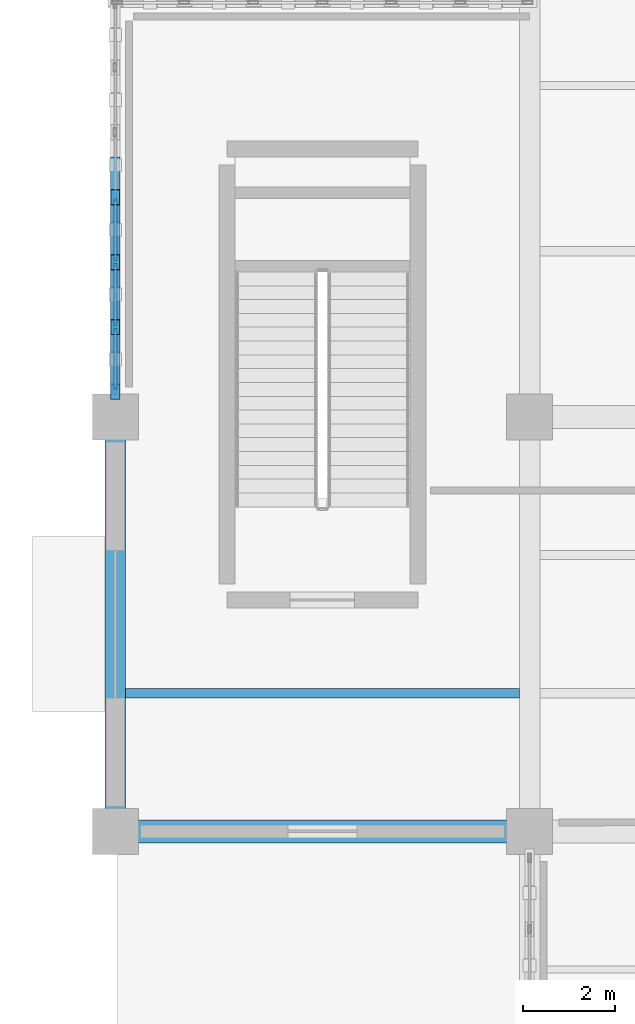
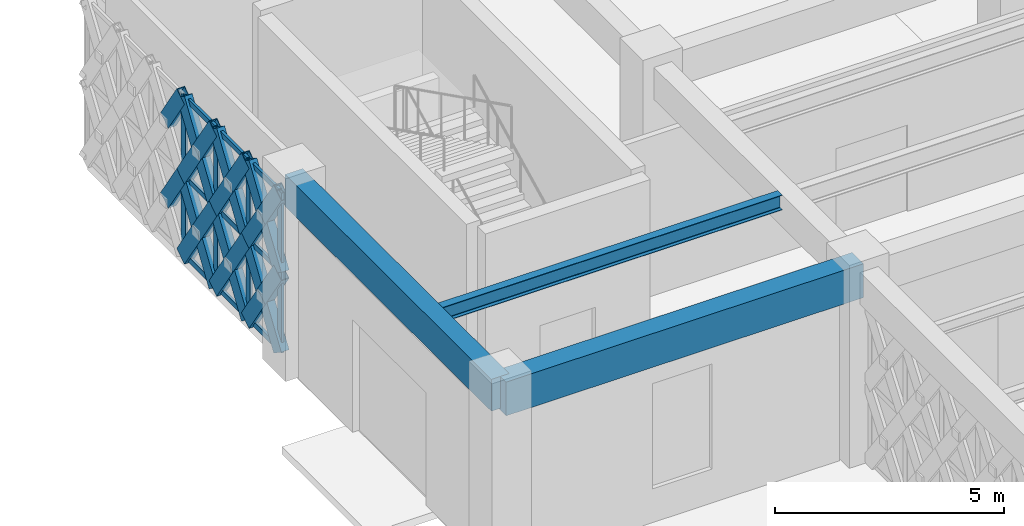
# One storey, part 50 of 140: 33 members, 3 beams, 1 element without a shape of its own.
"""IFC4 building model written with IfcOpenShell, lengths in metres."""

import ifcopenshell
import ifcopenshell.guid

model = None  # the IFC model being written
_history = None  # IfcOwnerHistory: only IFC2X3 demands one
_inside = {}  # id of a spatial element -> (the spatial element, [elements in it])
_under = {}  # id of a project, library or spatial element -> (it, [spatial elements below it])
_declared = {}  # id of a project -> (the project, [libraries it declares])
_typed = {}  # id of a type object -> (the type object, [elements of that type])
_made_of = {}  # id of a material, layer set ... -> (it, [elements and type objects made of it])


def new_model(schema):
    """Start an empty IFC model of exactly this schema.

    Asked for "IFC4X3", IfcOpenShell would pick the latest addendum, in which some entities
    have other attributes; the version numbers below select the first issue.
    IFC2X3 requires an IfcOwnerHistory on every rooted entity: one is made here for all.
    """
    global model, _history
    if schema == "IFC4X3":
        model = ifcopenshell.file(schema_version=(4, 3, 0, 0))
    else:
        model = ifcopenshell.file(schema=schema)
    _inside.clear()
    _under.clear()
    _declared.clear()
    _typed.clear()
    _made_of.clear()
    _history = None
    if model.schema == "IFC2X3":
        org = make("IfcOrganization", Name="unknown")
        user = make(
            "IfcPersonAndOrganization",
            ThePerson=make("IfcPerson", FamilyName="unknown"),
            TheOrganization=org,
        )
        app = make(
            "IfcApplication",
            ApplicationDeveloper=org,
            Version="unknown",
            ApplicationFullName="unknown",
            ApplicationIdentifier="unknown",
        )
        _history = make(
            "IfcOwnerHistory",
            OwningUser=user,
            OwningApplication=app,
            ChangeAction="ADDED",
            CreationDate=0,
        )
    return model


def make(cls, **values):
    """One entity of the class cls with the attributes given. An attribute that is None is left unset."""
    return model.create_entity(
        cls, **{name: value for name, value in values.items() if value is not None}
    )


def rooted(cls, **values):
    """An entity with a GlobalId (a new one), such as an element, a storey or a relation."""
    return make(cls, GlobalId=ifcopenshell.guid.new(), OwnerHistory=_history, **values)


def si_unit(unit_type, name, prefix=None):
    """IfcSIUnit, for example si_unit("LENGTHUNIT", "METRE", prefix="MILLI")."""
    return make("IfcSIUnit", UnitType=unit_type, Prefix=prefix, Name=name)


def assignment(units):
    """IfcUnitAssignment: the units of a project."""
    return None if units is None else make("IfcUnitAssignment", Units=units)


def point(xyz):
    """IfcCartesianPoint."""
    return None if xyz is None else make("IfcCartesianPoint", Coordinates=xyz)


def direction(xyz):
    """IfcDirection."""
    return None if xyz is None else make("IfcDirection", DirectionRatios=xyz)


def frame(location, z_axis=None, x_axis=None):
    """IfcAxis2Placement3D, a coordinate frame: its origin and axes. An axis left out is left unset."""
    return make(
        "IfcAxis2Placement3D",
        Location=point(location),
        Axis=direction(z_axis),
        RefDirection=direction(x_axis),
    )


def frame_2d(location, x_axis=None):
    """IfcAxis2Placement2D, a coordinate frame in the plane: its origin and x axis."""
    return make(
        "IfcAxis2Placement2D", Location=point(location), RefDirection=direction(x_axis)
    )


def origin():
    """The frame at (0, 0, 0) with its axes left unset."""
    return frame((0.0, 0.0, 0.0))


def origin_2d():
    """The frame at (0, 0) in the plane with its x axis left unset."""
    return frame_2d((0.0, 0.0))


def place(relative_to, where):
    """IfcLocalPlacement: puts the frame where relative to a parent placement (None: the world)."""
    return make(
        "IfcLocalPlacement", PlacementRelTo=relative_to, RelativePlacement=where
    )


def context(
    kind, dimensions, precision=None, world=None, true_north=None, identifier=None
):
    """IfcGeometricRepresentationContext, for example the 3D "Model" context."""
    return make(
        "IfcGeometricRepresentationContext",
        ContextIdentifier=identifier,
        ContextType=kind,
        CoordinateSpaceDimension=dimensions,
        Precision=precision,
        WorldCoordinateSystem=world,
        TrueNorth=true_north,
    )


def subcontext(parent, identifier, kind, view, scale=None):
    """IfcGeometricRepresentationSubContext, for example "Body" below "Model"."""
    return make(
        "IfcGeometricRepresentationSubContext",
        ContextIdentifier=identifier,
        ContextType=kind,
        ParentContext=parent,
        TargetScale=scale,
        TargetView=view,
    )


def project(units=None, contexts=None):
    """IfcProject with its units and contexts."""
    return rooted(
        "IfcProject",
        Name="project",
        RepresentationContexts=contexts,
        UnitsInContext=assignment(units),
    )


def spatial(cls, under=None, at=None, **own):
    """A site, building, storey or space (cls), placed at a placement, below another one or the project."""
    s = rooted(cls, ObjectPlacement=at, **own)
    if under is not None:
        _under.setdefault(under.id(), (under, []))[1].append(s)
    return s


def profile(cls, at=None, kind="AREA", **sizes):
    """A parametric profile (cls). Its sizes go by their IFC names, for example OverallWidth=200.0."""
    return make(cls, ProfileType=kind, Position=at, **sizes)


def rectangle(**sizes):
    """IfcRectangleProfileDef."""
    return profile("IfcRectangleProfileDef", **sizes)


def hollow_rectangle(**sizes):
    """IfcRectangleHollowProfileDef."""
    return profile("IfcRectangleHollowProfileDef", **sizes)


def i_section(**sizes):
    """IfcIShapeProfileDef."""
    return profile("IfcIShapeProfileDef", **sizes)


def extrude(swept, where, along, depth):
    """IfcExtrudedAreaSolid: the profile swept, set in the frame where, extruded along a direction by depth."""
    return make(
        "IfcExtrudedAreaSolid",
        SweptArea=swept,
        Position=where,
        ExtrudedDirection=direction(along),
        Depth=depth,
    )


def shape(context_of_items, identifier, shape_type, items):
    """IfcShapeRepresentation: the items that make up one representation, for example the "Body"."""
    return make(
        "IfcShapeRepresentation",
        ContextOfItems=context_of_items,
        RepresentationIdentifier=identifier,
        RepresentationType=shape_type,
        Items=items,
    )


def material(Name=None, Category=None):
    """IfcMaterial."""
    return make("IfcMaterial", Name=Name, Category=Category)


def material_profile(
    of_material, cross_section, Name=None, Category=None, Priority=None
):
    """IfcMaterialProfile: a cross section and its material."""
    return make(
        "IfcMaterialProfile",
        Name=Name,
        Material=of_material,
        Profile=cross_section,
        Priority=Priority,
        Category=Category,
    )


def profile_set(profiles, Name=None, composite=None):
    """IfcMaterialProfileSet."""
    return make(
        "IfcMaterialProfileSet",
        Name=Name,
        MaterialProfiles=profiles,
        CompositeProfile=composite,
    )


def made_of(thing, what):
    """Note that an element or type object is made of a material, layer set ...; save() writes the relation."""
    if what is not None:
        _made_of.setdefault(what.id(), (what, []))[1].append(thing)
    return thing


def type_object(cls, material=None, **own):
    """A type object (cls), such as IfcWallType, which elements share."""
    return made_of(rooted(cls, **own), material)


def element(
    cls,
    number,
    at=None,
    inside=None,
    cuts=None,
    type_object=None,
    material=None,
    context=None,
    identifier="Body",
    shape_type=None,
    held_by="IfcProductDefinitionShape",
    body=None,
    shapes=None,
    **own,
):
    """One element of the class cls, such as IfcWall. Its Tag is "e" and its number.

    at: its placement. inside: the storey or other place that contains it. cuts: it is an
    opening in that element (IfcRelVoidsElement). A single representation is given by context,
    identifier, shape_type and body (its items); several are given by shapes. held_by: the class
    of the entity that holds the representations. save() writes the other relations.
    """
    e = rooted(cls, Tag="e%d" % number, ObjectPlacement=at, **own)
    if body is not None:
        shapes = [shape(context, identifier, shape_type, body)]
    if shapes is not None:
        e.Representation = make(held_by, Representations=shapes)
    if inside is not None:
        _inside.setdefault(inside.id(), (inside, []))[1].append(e)
    if cuts is not None:
        rooted(
            "IfcRelVoidsElement", RelatingBuildingElement=cuts, RelatedOpeningElement=e
        )
    if type_object is not None:
        _typed.setdefault(type_object.id(), (type_object, []))[1].append(e)
    return made_of(e, material)


def aggregate(whole, parts):
    """IfcRelAggregates: a whole, such as a stair, and the parts it consists of."""
    return rooted("IfcRelAggregates", RelatingObject=whole, RelatedObjects=parts)


def save(model, path):
    """Write the relations noted so far, then the file.

    IfcRelAggregates (storeys below a building ...), IfcRelContainedInSpatialStructure (elements
    in a storey), IfcRelDefinesByType, IfcRelAssociatesMaterial and IfcRelDeclares: one each for
    every whole, place, type object, material and project.
    """
    for whole, parts in _under.values():
        aggregate(whole, parts)
    for where, things in _inside.values():
        rooted(
            "IfcRelContainedInSpatialStructure",
            RelatedElements=things,
            RelatingStructure=where,
        )
    for kind, things in _typed.values():
        rooted("IfcRelDefinesByType", RelatedObjects=things, RelatingType=kind)
    for what, things in _made_of.values():
        rooted("IfcRelAssociatesMaterial", RelatedObjects=things, RelatingMaterial=what)
    for by, libraries in _declared.values():
        rooted("IfcRelDeclares", RelatingContext=by, RelatedDefinitions=libraries)
    model.write(path)


model = new_model("IFC4")

# Units and contexts
model_context = context("Model", 3, precision=1e-05, world=origin(), true_north=direction((0.0, 1.0)))
body_context = subcontext(model_context, "Body", "Model", "MODEL_VIEW")
ifc_project = project(units=[si_unit("LENGTHUNIT", "METRE"), si_unit("AREAUNIT", "SQUARE_METRE"), si_unit("VOLUMEUNIT", "CUBIC_METRE"), si_unit("PLANEANGLEUNIT", "RADIAN"), si_unit("MASSUNIT", "GRAM", prefix="KILO")], contexts=[model_context])

# Site, building, storey
site_placement = place(None, origin())
site = spatial("IfcSite", under=ifc_project, at=site_placement, CompositionType="ELEMENT")
building_placement = place(site_placement, origin())
building = spatial("IfcBuilding", under=site, at=building_placement, Name="Haizhuo Lancet Aquarium", CompositionType="ELEMENT")
storey_placement = place(building_placement, origin())
storey = spatial("IfcBuildingStorey", under=building, at=storey_placement, Name="L00", CompositionType="ELEMENT", Elevation=0.0)

# Beams
ifc_material_1 = material(Name="Concrete C40/50", Category="concrete")
ifc_material_profile_1 = material_profile(ifc_material_1, rectangle(XDim=0.449951171875, YDim=0.85009765625, at=origin_2d()), Name="RC-BM 450x850")
ifc_profile_set_1 = profile_set([ifc_material_profile_1], Name="Concrete C40/50")
beam_type_1 = type_object("IfcBeamType", Name="BM-RC-450x850", PredefinedType="BEAM", material=ifc_profile_set_1)
beam_1_placement = place(storey_placement, frame((-27.0, 36.0, 4.695068359375), z_axis=(0.0, 1.0, 0.0), x_axis=(-1.0, 0.0, 0.0)))
element("IfcBeam", 1, at=beam_1_placement, inside=storey, type_object=beam_type_1, Name="L00 V5 primary girder BM-L00-V5-001", PredefinedType="BEAM", context=body_context, shape_type="SweptSolid", body=[
    extrude(rectangle(XDim=0.449951171875, YDim=0.85009765625, at=origin_2d()), origin(), (0.0, 0.0, 1.0), 9.0),
])
ifc_material_profile_2 = material_profile(ifc_material_1, rectangle(XDim=0.5, YDim=0.89990234375, at=origin_2d()), Name="RC-BM 500x900")
ifc_profile_set_2 = profile_set([ifc_material_profile_2], Name="Concrete C40/50")
beam_type_2 = type_object("IfcBeamType", Name="BM-RC-500x900", PredefinedType="BEAM", material=ifc_profile_set_2)
beam_2_placement = place(storey_placement, frame((-27.0, 36.0, 4.669921875), z_axis=(1.0, 0.0, 0.0), x_axis=(0.0, 1.0, 0.0)))
element("IfcBeam", 2, at=beam_2_placement, inside=storey, type_object=beam_type_2, Name="L00 V5 primary girder BM-L00-V5-002", PredefinedType="BEAM", context=body_context, shape_type="SweptSolid", body=[
    extrude(rectangle(XDim=0.5, YDim=0.89990234375, at=origin_2d()), origin(), (0.0, 0.0, 1.0), 9.0),
])

# Curtain wall, members
ifc_material_2 = material(Name="Aluminium 6063-T6", Category="aluminium")
curtain_wall_type = type_object("IfcCurtainWallType", Name="CWD-8460x4260", PredefinedType="NOTDEFINED", material=ifc_material_2)
curtain_wall_placement = place(storey_placement, origin())
curtain_wall = element("IfcCurtainWall", 3, at=curtain_wall_placement, inside=storey, type_object=curtain_wall_type, Name="L00 curtain wall CW-V5-L00-115", PredefinedType="NOTDEFINED")
ifc_material_profile_3 = material_profile(ifc_material_2, hollow_rectangle(XDim=0.06494140625, YDim=0.179931640625, WallThickness=0.00390625, at=origin_2d()), Name="ALU-M 65x180x4")
ifc_profile_set_3 = profile_set([ifc_material_profile_3], Name="Aluminium 6063-T6")
member_type_1 = type_object("IfcMemberType", Name="CW-MUL-1", PredefinedType="MULLION", material=ifc_profile_set_3)
member_1_placement = place(storey_placement, frame((-27.0, 45.577880859375, 0.0), z_axis=(0.0, 0.0, 1.0), x_axis=(-1.0, 0.0, 0.0)))
member_1 = element("IfcMember", 4, at=member_1_placement, type_object=member_type_1, Name="CWD-84x42 mullion 1", PredefinedType="MULLION", context=body_context, shape_type="SweptSolid", body=[
    extrude(hollow_rectangle(XDim=0.06494140625, YDim=0.179931640625, WallThickness=0.00390625, at=origin_2d()), origin(), (0.0, 0.0, 1.0), 4.2548828125),
])
member_2_placement = place(storey_placement, frame((-27.0, 46.9541015625, 0.0), z_axis=(0.0, 0.0, 1.0), x_axis=(-1.0, 0.0, 0.0)))
member_2 = element("IfcMember", 5, at=member_2_placement, type_object=member_type_1, Name="CWD-84x42 mullion 2", PredefinedType="MULLION", context=body_context, shape_type="SweptSolid", body=[
    extrude(hollow_rectangle(XDim=0.06494140625, YDim=0.179931640625, WallThickness=0.00390625, at=origin_2d()), origin(), (0.0, 0.0, 1.0), 4.2548828125),
])
member_3_placement = place(storey_placement, frame((-27.0, 48.363037109375, 0.0), z_axis=(0.0, 0.0, 1.0), x_axis=(-1.0, 0.0, 0.0)))
member_3 = element("IfcMember", 6, at=member_3_placement, type_object=member_type_1, Name="CWD-84x42 mullion 3", PredefinedType="MULLION", context=body_context, shape_type="SweptSolid", body=[
    extrude(hollow_rectangle(XDim=0.06494140625, YDim=0.179931640625, WallThickness=0.00390625, at=origin_2d()), origin(), (0.0, 0.0, 1.0), 4.2548828125),
])
member_4_placement = place(storey_placement, frame((-27.0, 49.77294921875, 0.0), z_axis=(0.0, 0.0, 1.0), x_axis=(-1.0, 0.0, 0.0)))
member_4 = element("IfcMember", 7, at=member_4_placement, type_object=member_type_1, Name="CWD-84x42 mullion 4", PredefinedType="MULLION", context=body_context, shape_type="SweptSolid", body=[
    extrude(hollow_rectangle(XDim=0.06494140625, YDim=0.179931640625, WallThickness=0.00390625, at=origin_2d()), origin(), (0.0, 0.0, 1.0), 4.2548828125),
])
ifc_material_profile_4 = material_profile(ifc_material_2, hollow_rectangle(XDim=0.06494140625, YDim=0.139892578125, WallThickness=0.00390625, at=origin_2d()), Name="ALU-T 65x140x4")
ifc_profile_set_4 = profile_set([ifc_material_profile_4], Name="Aluminium 6063-T6")
member_type_2 = type_object("IfcMemberType", Name="CW-TRN-1", PredefinedType="NOTDEFINED", material=ifc_profile_set_4)
member_5_placement = place(storey_placement, frame((-27.0, 45.610107421875, 0.032958984375), z_axis=(0.0, 1.0, 0.0), x_axis=(-1.0, 0.0, 0.0)))
member_5 = element("IfcMember", 8, at=member_5_placement, type_object=member_type_2, Name="CWD-84x42 transom 1.1", ObjectType="TRANSOM", PredefinedType="USERDEFINED", context=body_context, shape_type="SweptSolid", body=[
    extrude(hollow_rectangle(XDim=0.06494140625, YDim=0.139892578125, WallThickness=0.00390625, at=origin_2d()), origin(), (0.0, 0.0, 1.0), 1.31201171875),
])
member_6_placement = place(storey_placement, frame((-27.0, 45.610107421875, 2.126953125), z_axis=(0.0, 1.0, 0.0), x_axis=(-1.0, 0.0, 0.0)))
member_6 = element("IfcMember", 9, at=member_6_placement, type_object=member_type_2, Name="CWD-84x42 transom 1.2", ObjectType="TRANSOM", PredefinedType="USERDEFINED", context=body_context, shape_type="SweptSolid", body=[
    extrude(hollow_rectangle(XDim=0.06494140625, YDim=0.139892578125, WallThickness=0.00390625, at=origin_2d()), origin(), (0.0, 0.0, 1.0), 1.31201171875),
])
member_7_placement = place(storey_placement, frame((-27.0, 45.610107421875, 4.222900390625), z_axis=(0.0, 1.0, 0.0), x_axis=(-1.0, 0.0, 0.0)))
member_7 = element("IfcMember", 10, at=member_7_placement, type_object=member_type_2, Name="CWD-84x42 transom 1.3", ObjectType="TRANSOM", PredefinedType="USERDEFINED", context=body_context, shape_type="SweptSolid", body=[
    extrude(hollow_rectangle(XDim=0.06494140625, YDim=0.139892578125, WallThickness=0.00390625, at=origin_2d()), origin(), (0.0, 0.0, 1.0), 1.31201171875),
])
member_8_placement = place(storey_placement, frame((-27.0, 46.987060546875, 0.032958984375), z_axis=(0.0, 1.0, 0.0), x_axis=(-1.0, 0.0, 0.0)))
member_8 = element("IfcMember", 11, at=member_8_placement, type_object=member_type_2, Name="CWD-84x42 transom 2.1", ObjectType="TRANSOM", PredefinedType="USERDEFINED", context=body_context, shape_type="SweptSolid", body=[
    extrude(hollow_rectangle(XDim=0.06494140625, YDim=0.139892578125, WallThickness=0.00390625, at=origin_2d()), origin(), (0.0, 0.0, 1.0), 1.343994140625),
])
member_9_placement = place(storey_placement, frame((-27.0, 46.987060546875, 2.126953125), z_axis=(0.0, 1.0, 0.0), x_axis=(-1.0, 0.0, 0.0)))
member_9 = element("IfcMember", 12, at=member_9_placement, type_object=member_type_2, Name="CWD-84x42 transom 2.2", ObjectType="TRANSOM", PredefinedType="USERDEFINED", context=body_context, shape_type="SweptSolid", body=[
    extrude(hollow_rectangle(XDim=0.06494140625, YDim=0.139892578125, WallThickness=0.00390625, at=origin_2d()), origin(), (0.0, 0.0, 1.0), 1.343994140625),
])
member_10_placement = place(storey_placement, frame((-27.0, 46.987060546875, 4.222900390625), z_axis=(0.0, 1.0, 0.0), x_axis=(-1.0, 0.0, 0.0)))
member_10 = element("IfcMember", 13, at=member_10_placement, type_object=member_type_2, Name="CWD-84x42 transom 2.3", ObjectType="TRANSOM", PredefinedType="USERDEFINED", context=body_context, shape_type="SweptSolid", body=[
    extrude(hollow_rectangle(XDim=0.06494140625, YDim=0.139892578125, WallThickness=0.00390625, at=origin_2d()), origin(), (0.0, 0.0, 1.0), 1.343994140625),
])
member_11_placement = place(storey_placement, frame((-27.0, 48.39599609375, 0.032958984375), z_axis=(0.0, 1.0, 0.0), x_axis=(-1.0, 0.0, 0.0)))
member_11 = element("IfcMember", 14, at=member_11_placement, type_object=member_type_2, Name="CWD-84x42 transom 3.1", ObjectType="TRANSOM", PredefinedType="USERDEFINED", context=body_context, shape_type="SweptSolid", body=[
    extrude(hollow_rectangle(XDim=0.06494140625, YDim=0.139892578125, WallThickness=0.00390625, at=origin_2d()), origin(), (0.0, 0.0, 1.0), 1.343994140625),
])
member_12_placement = place(storey_placement, frame((-27.0, 48.39599609375, 2.126953125), z_axis=(0.0, 1.0, 0.0), x_axis=(-1.0, 0.0, 0.0)))
member_12 = element("IfcMember", 15, at=member_12_placement, type_object=member_type_2, Name="CWD-84x42 transom 3.2", ObjectType="TRANSOM", PredefinedType="USERDEFINED", context=body_context, shape_type="SweptSolid", body=[
    extrude(hollow_rectangle(XDim=0.06494140625, YDim=0.139892578125, WallThickness=0.00390625, at=origin_2d()), origin(), (0.0, 0.0, 1.0), 1.343994140625),
])
member_13_placement = place(storey_placement, frame((-27.0, 48.39599609375, 4.222900390625), z_axis=(0.0, 1.0, 0.0), x_axis=(-1.0, 0.0, 0.0)))
member_13 = element("IfcMember", 16, at=member_13_placement, type_object=member_type_2, Name="CWD-84x42 transom 3.3", ObjectType="TRANSOM", PredefinedType="USERDEFINED", context=body_context, shape_type="SweptSolid", body=[
    extrude(hollow_rectangle(XDim=0.06494140625, YDim=0.139892578125, WallThickness=0.00390625, at=origin_2d()), origin(), (0.0, 0.0, 1.0), 1.343994140625),
])
aggregate(curtain_wall, [member_1, member_2, member_3, member_4, member_5, member_6, member_7, member_8, member_9, member_10, member_11, member_12, member_13])

# Beam
ifc_material_3 = material(Name="Steel S355", Category="steel")
ifc_material_profile_5 = material_profile(ifc_material_3, i_section(OverallWidth=0.199951171875, OverallDepth=0.39990234375, WebThickness=0.008056640625, FlangeThickness=0.012939453125, FilletRadius=0.01611328125, at=origin_2d()), Name="HN 400x200x8x13")
ifc_profile_set_5 = profile_set([ifc_material_profile_5], Name="Steel S355")
beam_type_3 = type_object("IfcBeamType", Name="JST-ST-HN400", PredefinedType="JOIST", material=ifc_profile_set_5)
beam_3_placement = place(storey_placement, frame((-26.77490234375, 39.0, 4.919921875), z_axis=(1.0, 0.0, 0.0), x_axis=(0.0, 1.0, 0.0)))
element("IfcBeam", 17, at=beam_3_placement, inside=storey, type_object=beam_type_3, Name="L00 V5 secondary floor joist 1", PredefinedType="JOIST", context=body_context, shape_type="SweptSolid", body=[
    extrude(i_section(OverallWidth=0.199951171875, OverallDepth=0.39990234375, WebThickness=0.008056640625, FlangeThickness=0.012939453125, FilletRadius=0.01611328125, at=origin_2d()), origin(), (0.0, 0.0, 1.0), 8.5498046875),
])

# Members
ifc_material_profile_6 = material_profile(ifc_material_3, hollow_rectangle(XDim=0.199951171875, YDim=0.39990234375, WallThickness=0.011962890625, at=origin_2d()), Name="RHS 200x400x12")
ifc_profile_set_6 = profile_set([ifc_material_profile_6], Name="Steel S355")
member_type_3 = type_object("IfcMemberType", Name="MEM-LB-RHS200x400", PredefinedType="BRACE", material=ifc_profile_set_6)
member_14_placement = place(storey_placement, frame((-27.0, 45.544921875, 0.0), z_axis=(0.0, 0.552313069978, 0.83363677506), x_axis=(-1.0, 0.0, 0.0)))
element("IfcMember", 18, at=member_14_placement, inside=storey, type_object=member_type_3, Name="Gothic lancet continuous diagonal brace CW-V5-L00-115 1A", PredefinedType="BRACE", context=body_context, shape_type="SweptSolid", body=[
    extrude(hollow_rectangle(XDim=0.199951171875, YDim=0.39990234375, WallThickness=0.011962890625, at=origin_2d()), origin(), (0.0, 0.0, 1.0), 2.551513671875),
])
member_15_placement = place(storey_placement, frame((-27.0, 46.9541015625, 0.0), z_axis=(0.0, -0.552755264889, 0.833343636886), x_axis=(1.0, 0.0, 0.0)))
element("IfcMember", 19, at=member_15_placement, inside=storey, type_object=member_type_3, Name="Gothic lancet split diagonal brace CW-V5-L00-115 1B1", PredefinedType="BRACE", context=body_context, shape_type="SweptSolid", body=[
    extrude(hollow_rectangle(XDim=0.199951171875, YDim=0.39990234375, WallThickness=0.011962890625, at=origin_2d()), origin(), (0.0, 0.0, 1.0), 1.275634765625),
])
member_16_placement = place(storey_placement, frame((-27.0, 46.2490234375, 1.06298828125), z_axis=(0.0, -0.551870814878, 0.833929615547), x_axis=(1.0, 0.0, 0.0)))
element("IfcMember", 20, at=member_16_placement, inside=storey, type_object=member_type_3, Name="Gothic lancet split diagonal brace CW-V5-L00-115 1B2", PredefinedType="BRACE", context=body_context, shape_type="SweptSolid", body=[
    extrude(hollow_rectangle(XDim=0.199951171875, YDim=0.39990234375, WallThickness=0.011962890625, at=origin_2d()), origin(), (0.0, 0.0, 1.0), 1.27587890625),
])
member_17_placement = place(storey_placement, frame((-27.0, 45.544921875, 2.126953125), z_axis=(0.0, 0.55213688332, 0.833753478), x_axis=(-1.0, 0.0, 0.0)))
element("IfcMember", 21, at=member_17_placement, inside=storey, type_object=member_type_3, Name="Gothic lancet continuous diagonal brace CW-V5-L00-115 2A", PredefinedType="BRACE", context=body_context, shape_type="SweptSolid", body=[
    extrude(hollow_rectangle(XDim=0.199951171875, YDim=0.39990234375, WallThickness=0.011962890625, at=origin_2d()), origin(), (0.0, 0.0, 1.0), 2.55224609375),
])
member_18_placement = place(storey_placement, frame((-27.0, 46.9541015625, 2.126953125), z_axis=(0.0, -0.552402783183, 0.833577330025), x_axis=(1.0, 0.0, 0.0)))
element("IfcMember", 22, at=member_18_placement, inside=storey, type_object=member_type_3, Name="Gothic lancet split diagonal brace CW-V5-L00-115 2B1", PredefinedType="BRACE", context=body_context, shape_type="SweptSolid", body=[
    extrude(hollow_rectangle(XDim=0.199951171875, YDim=0.39990234375, WallThickness=0.011962890625, at=origin_2d()), origin(), (0.0, 0.0, 1.0), 1.2763671875),
])
member_19_placement = place(storey_placement, frame((-27.0, 46.2490234375, 3.19091796875), z_axis=(0.0, -0.551870814878, 0.833929615547), x_axis=(1.0, 0.0, 0.0)))
element("IfcMember", 23, at=member_19_placement, inside=storey, type_object=member_type_3, Name="Gothic lancet split diagonal brace CW-V5-L00-115 2B2", PredefinedType="BRACE", context=body_context, shape_type="SweptSolid", body=[
    extrude(hollow_rectangle(XDim=0.199951171875, YDim=0.39990234375, WallThickness=0.011962890625, at=origin_2d()), origin(), (0.0, 0.0, 1.0), 1.27587890625),
])
member_20_placement = place(storey_placement, frame((-27.0, 46.9541015625, 0.0), z_axis=(0.0, 0.552246566071, 0.833680832371), x_axis=(-1.0, 0.0, 0.0)))
element("IfcMember", 24, at=member_20_placement, inside=storey, type_object=member_type_3, Name="Gothic lancet continuous diagonal brace CW-V5-L00-115 3A", PredefinedType="BRACE", context=body_context, shape_type="SweptSolid", body=[
    extrude(hollow_rectangle(XDim=0.199951171875, YDim=0.39990234375, WallThickness=0.011962890625, at=origin_2d()), origin(), (0.0, 0.0, 1.0), 2.55126953125),
])
member_21_placement = place(storey_placement, frame((-27.0, 48.363037109375, 0.0), z_axis=(0.0, -0.552223255133, 0.833696273526), x_axis=(1.0, 0.0, 0.0)))
element("IfcMember", 25, at=member_21_placement, inside=storey, type_object=member_type_3, Name="Gothic lancet split diagonal brace CW-V5-L00-115 3B1", PredefinedType="BRACE", context=body_context, shape_type="SweptSolid", body=[
    extrude(hollow_rectangle(XDim=0.199951171875, YDim=0.39990234375, WallThickness=0.011962890625, at=origin_2d()), origin(), (0.0, 0.0, 1.0), 1.275146484375),
])
member_22_placement = place(storey_placement, frame((-27.0, 47.658935546875, 1.06298828125), z_axis=(0.0, -0.55226985432, 0.833665405309), x_axis=(1.0, 0.0, 0.0)))
element("IfcMember", 26, at=member_22_placement, inside=storey, type_object=member_type_3, Name="Gothic lancet split diagonal brace CW-V5-L00-115 3B2", PredefinedType="BRACE", context=body_context, shape_type="SweptSolid", body=[
    extrude(hollow_rectangle(XDim=0.199951171875, YDim=0.39990234375, WallThickness=0.011962890625, at=origin_2d()), origin(), (0.0, 0.0, 1.0), 1.2763671875),
])
member_23_placement = place(storey_placement, frame((-27.0, 46.9541015625, 2.126953125), z_axis=(0.0, 0.552070382016, 0.833797513369), x_axis=(-1.0, 0.0, 0.0)))
element("IfcMember", 27, at=member_23_placement, inside=storey, type_object=member_type_3, Name="Gothic lancet continuous diagonal brace CW-V5-L00-115 4A", PredefinedType="BRACE", context=body_context, shape_type="SweptSolid", body=[
    extrude(hollow_rectangle(XDim=0.199951171875, YDim=0.39990234375, WallThickness=0.011962890625, at=origin_2d()), origin(), (0.0, 0.0, 1.0), 2.552001953125),
])
member_24_placement = place(storey_placement, frame((-27.0, 48.363037109375, 2.126953125), z_axis=(0.0, -0.551870814878, 0.833929615547), x_axis=(1.0, 0.0, 0.0)))
element("IfcMember", 28, at=member_24_placement, inside=storey, type_object=member_type_3, Name="Gothic lancet split diagonal brace CW-V5-L00-115 4B1", PredefinedType="BRACE", context=body_context, shape_type="SweptSolid", body=[
    extrude(hollow_rectangle(XDim=0.199951171875, YDim=0.39990234375, WallThickness=0.011962890625, at=origin_2d()), origin(), (0.0, 0.0, 1.0), 1.27587890625),
])
member_25_placement = place(storey_placement, frame((-27.0, 47.658935546875, 3.19091796875), z_axis=(0.0, -0.55226985432, 0.833665405309), x_axis=(1.0, 0.0, 0.0)))
element("IfcMember", 29, at=member_25_placement, inside=storey, type_object=member_type_3, Name="Gothic lancet split diagonal brace CW-V5-L00-115 4B2", PredefinedType="BRACE", context=body_context, shape_type="SweptSolid", body=[
    extrude(hollow_rectangle(XDim=0.199951171875, YDim=0.39990234375, WallThickness=0.011962890625, at=origin_2d()), origin(), (0.0, 0.0, 1.0), 1.2763671875),
])
member_26_placement = place(storey_placement, frame((-27.0, 48.363037109375, 0.0), z_axis=(0.0, 0.55251251844, 0.833504599247), x_axis=(-1.0, 0.0, 0.0)))
element("IfcMember", 30, at=member_26_placement, inside=storey, type_object=member_type_3, Name="Gothic lancet continuous diagonal brace CW-V5-L00-115 5A", PredefinedType="BRACE", context=body_context, shape_type="SweptSolid", body=[
    extrude(hollow_rectangle(XDim=0.199951171875, YDim=0.39990234375, WallThickness=0.011962890625, at=origin_2d()), origin(), (0.0, 0.0, 1.0), 2.5517578125),
])
member_27_placement = place(storey_placement, frame((-27.0, 49.77294921875, 0.0), z_axis=(0.0, -0.552622325749, 0.8334317999), x_axis=(1.0, 0.0, 0.0)))
element("IfcMember", 31, at=member_27_placement, inside=storey, type_object=member_type_3, Name="Gothic lancet split diagonal brace CW-V5-L00-115 5B1", PredefinedType="BRACE", context=body_context, shape_type="SweptSolid", body=[
    extrude(hollow_rectangle(XDim=0.199951171875, YDim=0.39990234375, WallThickness=0.011962890625, at=origin_2d()), origin(), (0.0, 0.0, 1.0), 1.275390625),
])
member_28_placement = place(storey_placement, frame((-27.0, 49.068115234375, 1.06298828125), z_axis=(0.0, -0.552402783183, 0.833577330025), x_axis=(1.0, 0.0, 0.0)))
element("IfcMember", 32, at=member_28_placement, inside=storey, type_object=member_type_3, Name="Gothic lancet split diagonal brace CW-V5-L00-115 5B2", PredefinedType="BRACE", context=body_context, shape_type="SweptSolid", body=[
    extrude(hollow_rectangle(XDim=0.199951171875, YDim=0.39990234375, WallThickness=0.011962890625, at=origin_2d()), origin(), (0.0, 0.0, 1.0), 1.2763671875),
])
member_29_placement = place(storey_placement, frame((-27.0, 48.363037109375, 2.126953125), z_axis=(0.0, 0.552336324018, 0.83362136799), x_axis=(-1.0, 0.0, 0.0)))
element("IfcMember", 33, at=member_29_placement, inside=storey, type_object=member_type_3, Name="Gothic lancet continuous diagonal brace CW-V5-L00-115 6A", PredefinedType="BRACE", context=body_context, shape_type="SweptSolid", body=[
    extrude(hollow_rectangle(XDim=0.199951171875, YDim=0.39990234375, WallThickness=0.011962890625, at=origin_2d()), origin(), (0.0, 0.0, 1.0), 2.552734375),
])
for number, where, z_axis, x_axis, name in (
    (34, (-27.0, 49.77294921875, 2.126953125), (0.0, -0.55226985432, 0.833665405309), (1.0, 0.0, 0.0), "Gothic lancet split diagonal brace CW-V5-L00-115 6B1"),
    (35, (-27.0, 49.068115234375, 3.19091796875), (0.0, -0.552402783183, 0.833577330025), (1.0, 0.0, 0.0), "Gothic lancet split diagonal brace CW-V5-L00-115 6B2"),
    (36, (-27.0, 50.47802734375, 1.06298828125), (0.0, -0.552402783183, 0.833577330025), (1.0, 0.0, 0.0), "Gothic lancet split diagonal brace CW-V5-L00-115 7B2"),
    (37, (-27.0, 50.47802734375, 3.19091796875), (0.0, -0.552402783183, 0.833577330025), (1.0, 0.0, 0.0), "Gothic lancet split diagonal brace CW-V5-L00-115 8B2"),
):
    element("IfcMember", number, at=place(storey_placement, frame(where, z_axis=z_axis, x_axis=x_axis)), inside=storey, type_object=member_type_3, Name=name, PredefinedType="BRACE", context=body_context, shape_type="SweptSolid", body=[
        extrude(hollow_rectangle(XDim=0.199951171875, YDim=0.39990234375, WallThickness=0.011962890625, at=origin_2d()), origin(), (0.0, 0.0, 1.0), 1.2763671875),
    ])

save(model, "model.ifc")
